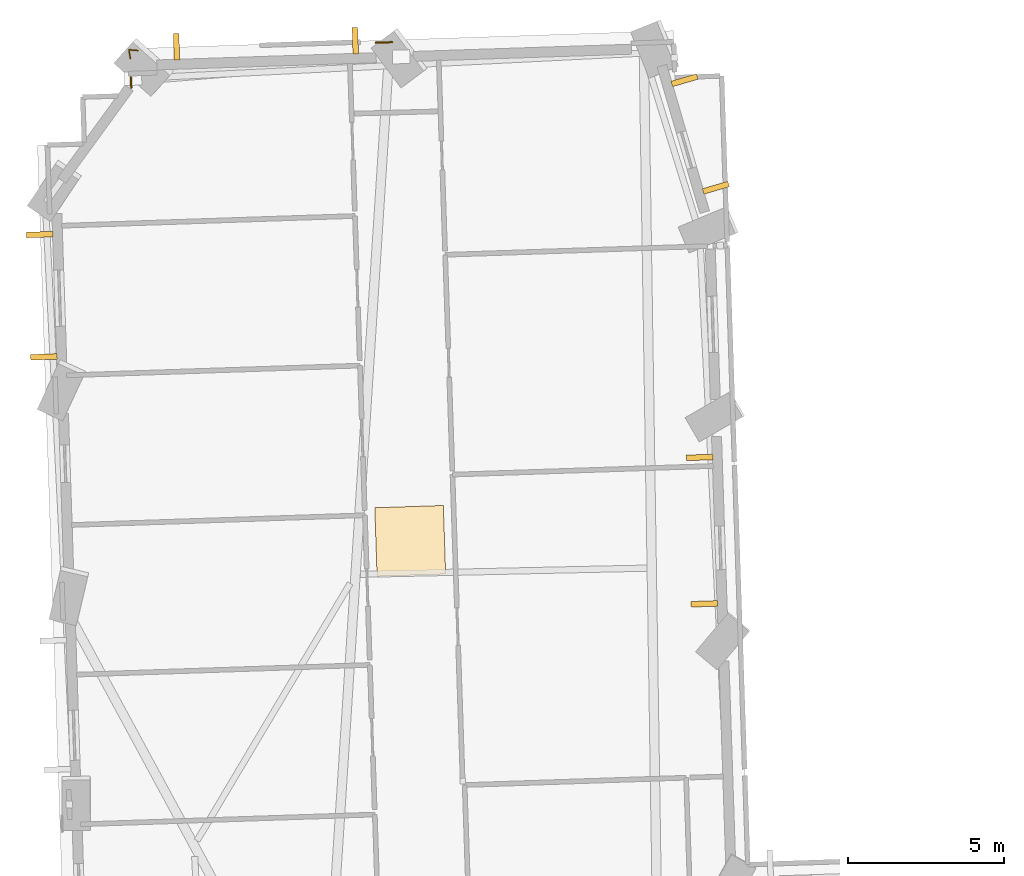
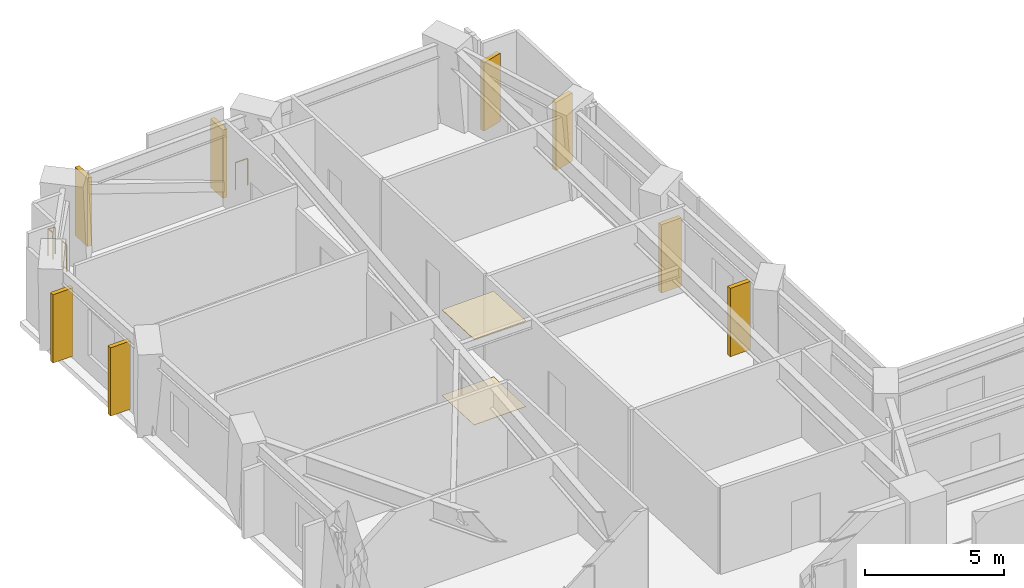
# One storey, part 14 of 14: 8 shading devices, 3 railings, 2 coverings.
"""IFC4 building model written with IfcOpenShell, lengths in metres."""

from ifc_helpers import new_model, si_unit, direction, frame, origin, origin_2d, place, context, subcontext, project, spatial, rectangle, circle, extrude, material, layer, layer_set, type_object, element, save


model = new_model("IFC4")

# Units and contexts
model_context = context("Model", 3, precision=1e-05, world=origin(), true_north=direction((0.0, 1.0)))
body_context = subcontext(model_context, "Body", "Model", "MODEL_VIEW")
ifc_project = project(units=[si_unit("LENGTHUNIT", "METRE"), si_unit("AREAUNIT", "SQUARE_METRE"), si_unit("VOLUMEUNIT", "CUBIC_METRE"), si_unit("PLANEANGLEUNIT", "RADIAN"), si_unit("MASSUNIT", "GRAM", prefix="KILO")], contexts=[model_context])

# Site, building, storey
site_placement = place(None, origin())
site = spatial("IfcSite", under=ifc_project, at=site_placement, CompositionType="ELEMENT")
building_placement = place(site_placement, origin())
building = spatial("IfcBuilding", under=site, at=building_placement, Name="Gaonmaruhae Medical Tower", CompositionType="ELEMENT")
storey_placement = place(building_placement, frame((0.0, 0.0, 31.0)))
storey = spatial("IfcBuildingStorey", under=building, at=storey_placement, Name="L06", CompositionType="ELEMENT", Elevation=31.0)

# Coverings
ifc_material_1 = material(Name="Acoustic mineral ceiling tile", Category="finish")
ifc_layer_1 = layer(ifc_material_1, 0.02490234375)
ifc_layer_set_1 = layer_set([ifc_layer_1], Name="Acoustic mineral ceiling tile")
covering_type_1 = type_object("IfcCoveringType", Name="CLG-01 Antimicrobial Acoustic Mineral Ceiling", PredefinedType="CEILING", material=ifc_layer_set_1)
covering_1_placement = place(storey_placement, frame((16.8046875, 34.1787109375, 3.755126953125), z_axis=(0.0, 0.0, 1.0), x_axis=(0.999450215942, 0.033155178389, 0.0)))
element("IfcCovering", 1, at=covering_1_placement, inside=storey, type_object=covering_type_1, Name="L06 Clinical Corridor Acoustic Ceiling", PredefinedType="CEILING", context=body_context, shape_type="SweptSolid", body=[
    extrude(rectangle(XDim=2.199951171875, YDim=2.199951171875, at=origin_2d()), origin(), (0.0, 0.0, 1.0), 0.02490234375),
])
ifc_material_2 = material(Name="Seamless clinical vinyl flooring", Category="finish")
ifc_layer_2 = layer(ifc_material_2, 0.014892578125)
ifc_layer_set_2 = layer_set([ifc_layer_2], Name="Seamless clinical vinyl flooring")
covering_type_2 = type_object("IfcCoveringType", Name="FLR-01 Seamless Clinical Antistatic Vinyl Flooring", PredefinedType="FLOORING", material=ifc_layer_set_2)
covering_2_placement = place(storey_placement, frame((16.8046875, 34.1787109375, 0.00048828125), z_axis=(0.0, 0.0, 1.0), x_axis=(0.999450215942, 0.033155178389, 0.0)))
element("IfcCovering", 2, at=covering_2_placement, inside=storey, type_object=covering_type_2, Name="L06 Clinical Corridor Vinyl Flooring", PredefinedType="FLOORING", context=body_context, shape_type="SweptSolid", body=[
    extrude(rectangle(XDim=2.199951171875, YDim=2.199951171875, at=origin_2d()), origin(), (0.0, 0.0, 1.0), 0.014892578125),
])

# Railings
ifc_material_3 = material(Name="Stainless steel 316L and laminated safety glass", Category="steel")
ifc_layer_3 = layer(ifc_material_3, 0.080078125)
ifc_layer_set_3 = layer_set([ifc_layer_3], Name="Stainless steel 316L and laminated safety glass")
railing_type = type_object("IfcRailingType", Name="GD-120 Outdoor Terrace Safety Glass & Steel Balustrade", PredefinedType="BALUSTRADE", material=ifc_layer_set_3)
railing_1_placement = place(storey_placement, frame((7.863037109375, 48.713134765625, 0.0)))
element("IfcRailing", 3, at=railing_1_placement, inside=storey, type_object=railing_type, Name="L06 Perimeter Slab Edge Safety Balustrade 03", PredefinedType="BALUSTRADE", context=body_context, shape_type="SweptSolid", body=[
    extrude(circle(Radius=0.02392578125, at=origin_2d()), frame((0.0, 0.0, 1.17578125), z_axis=(-0.03361328186, 0.99943491398, 0.0), x_axis=(-0.99943491398, -0.03361328186, 0.0)), (0.0, 0.0, 1.0), 0.326904296875),
    extrude(circle(Radius=0.02099609375, at=origin_2d()), origin(), (0.0, 0.0, 1.0), 1.15185546875),
    extrude(circle(Radius=0.02099609375, at=origin_2d()), frame((-0.010986328125, 0.32666015625, 0.0)), (0.0, 0.0, 1.0), 1.15185546875),
])
railing_2_placement = place(storey_placement, frame((15.705322265625, 50.150634765625, 0.0)))
element("IfcRailing", 4, at=railing_2_placement, inside=storey, type_object=railing_type, Name="L06 Perimeter Slab Edge Safety Balustrade 04", PredefinedType="BALUSTRADE", context=body_context, shape_type="SweptSolid", body=[
    extrude(circle(Radius=0.02392578125, at=origin_2d()), frame((0.0, 0.0, 1.17578125), z_axis=(0.999453778961, 0.033047597793, 0.0), x_axis=(-0.033047597793, 0.999453778961, 0.0)), (0.0, 0.0, 1.0), 0.51708984375),
    extrude(circle(Radius=0.02099609375, at=origin_2d()), origin(), (0.0, 0.0, 1.0), 1.15185546875),
    extrude(circle(Radius=0.02099609375, at=origin_2d()), frame((0.516845703125, 0.01708984375, 0.0)), (0.0, 0.0, 1.0), 1.15185546875),
])
railing_3_placement = place(storey_placement, frame((7.832275390625, 49.639404296875, 0.0)))
element("IfcRailing", 5, at=railing_3_placement, inside=storey, type_object=railing_type, Name="L06 Perimeter Corner Safety Balustrade 12", PredefinedType="BALUSTRADE", context=body_context, shape_type="SweptSolid", body=[
    extrude(circle(Radius=0.02392578125, at=origin_2d()), frame((0.0, 0.0, 1.17578125), z_axis=(-0.154739976047, 0.987955231685, 0.0), x_axis=(-0.987955231685, -0.154739976047, 0.0)), (0.0, 0.0, 1.0), 0.287109375),
    extrude(circle(Radius=0.02392578125, at=origin_2d()), frame((-0.04443359375, 0.28369140625, 1.17578125), z_axis=(0.996003999211, -0.089308642115, 0.0), x_axis=(0.089308642115, 0.996003999211, 0.0)), (0.0, 0.0, 1.0), 0.287109375),
    extrude(circle(Radius=0.02099609375, at=origin_2d()), origin(), (0.0, 0.0, 1.0), 1.15185546875),
    extrude(circle(Radius=0.02099609375, at=origin_2d()), frame((-0.04443359375, 0.28369140625, 0.0)), (0.0, 0.0, 1.0), 1.15185546875),
    extrude(circle(Radius=0.02099609375, at=origin_2d()), frame((0.241455078125, 0.258056640625, 0.0)), (0.0, 0.0, 1.0), 1.15185546875),
])

# Shading devices
ifc_material_4 = material(Name="Pigmented coral precast concrete C45/55", Category="concrete")
shading_device_type = type_object("IfcShadingDeviceType", Name="SD-FIN1 Tower Vertical Coral Precast Shading Fin", PredefinedType="USERDEFINED", material=ifc_material_4)
for number, where, z_axis, x_axis, name in (
    (6, (26.23681640625, 32.160888671875, 0.08251953125), (0.0, 0.0, 1.0), (-0.033155178389, 0.999450215942, 0.0), "L06 Vertical Coral Precast Shading Fin NE01"),
    (7, (26.081298828125, 36.854736328125, 0.08251953125), (0.0, 0.0, 1.0), (-0.033155178389, 0.999450215942, 0.0), "L06 Vertical Coral Precast Shading Fin NE01B"),
    (8, (25.597900390625, 48.946533203125, 0.08251953125), (0.0, 0.0, 1.0), (0.280348410007, -0.959898311805, 0.0), "L06 Vertical Coral Precast Shading Fin NE03"),
    (9, (26.60400390625, 45.501220703125, 0.08251953125), (0.0, 0.0, 1.0), (0.280348410007, -0.959898311805, 0.0), "L06 Vertical Coral Precast Shading Fin NE03B"),
    (10, (9.3134765625, 50.023681640625, 0.08251953125), (0.0, 0.0, 1.0), (0.999450215942, 0.033155178389, 0.0), "L06 Vertical Coral Precast Shading Fin N02"),
    (11, (15.044921875, 50.213623046875, 0.08251953125), (0.0, 0.0, 1.0), (0.999450215942, 0.033155178389, 0.0), "L06 Vertical Coral Precast Shading Fin N02B"),
    (12, (5.062744140625, 40.07861328125, 0.08251953125), (0.0, 0.0, 1.0), (-0.033155178389, 0.999450215942, 0.0), "L06 Vertical Coral Precast Shading Fin W01"),
    (13, (4.9326171875, 43.99951171875, 0.08251953125), (0.0, 0.0, 1.0), (-0.033155178389, 0.999450215942, 0.0), "L06 Vertical Coral Precast Shading Fin W01B"),
):
    element("IfcShadingDevice", number, at=place(storey_placement, frame(where, z_axis=z_axis, x_axis=x_axis)), inside=storey, type_object=shading_device_type, Name=name, ObjectType="FIN", PredefinedType="USERDEFINED", context=body_context, shape_type="SweptSolid", body=[
        extrude(rectangle(XDim=0.179931640625, YDim=0.85009765625, at=origin_2d()), origin(), (0.0, 0.0, 1.0), 3.0),
    ])

save(model, "model.ifc")
